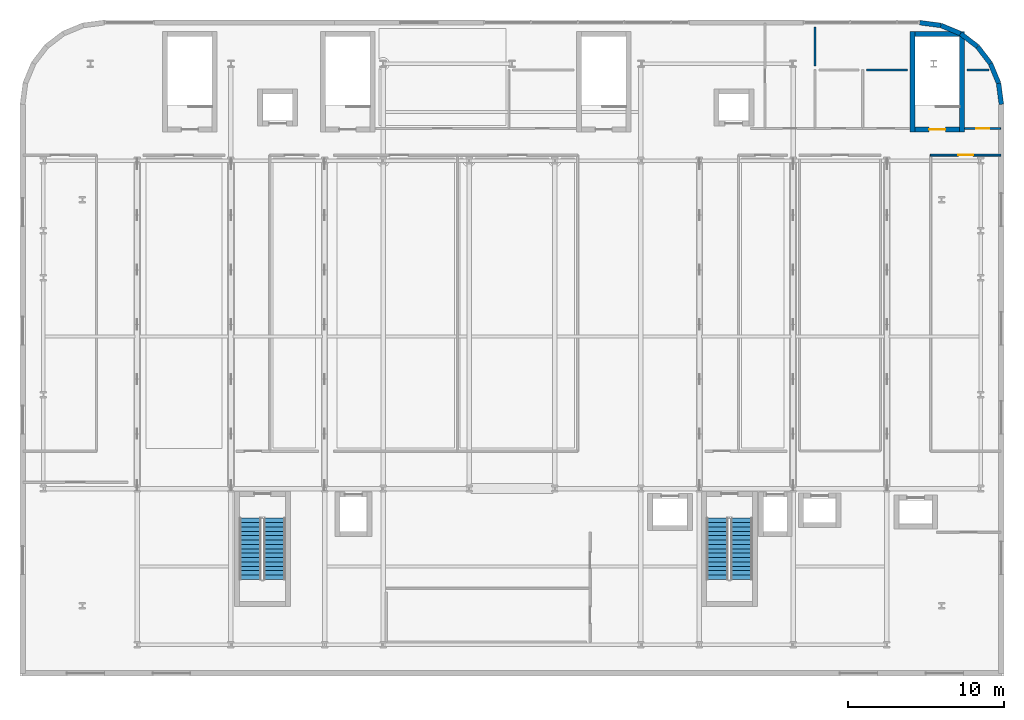
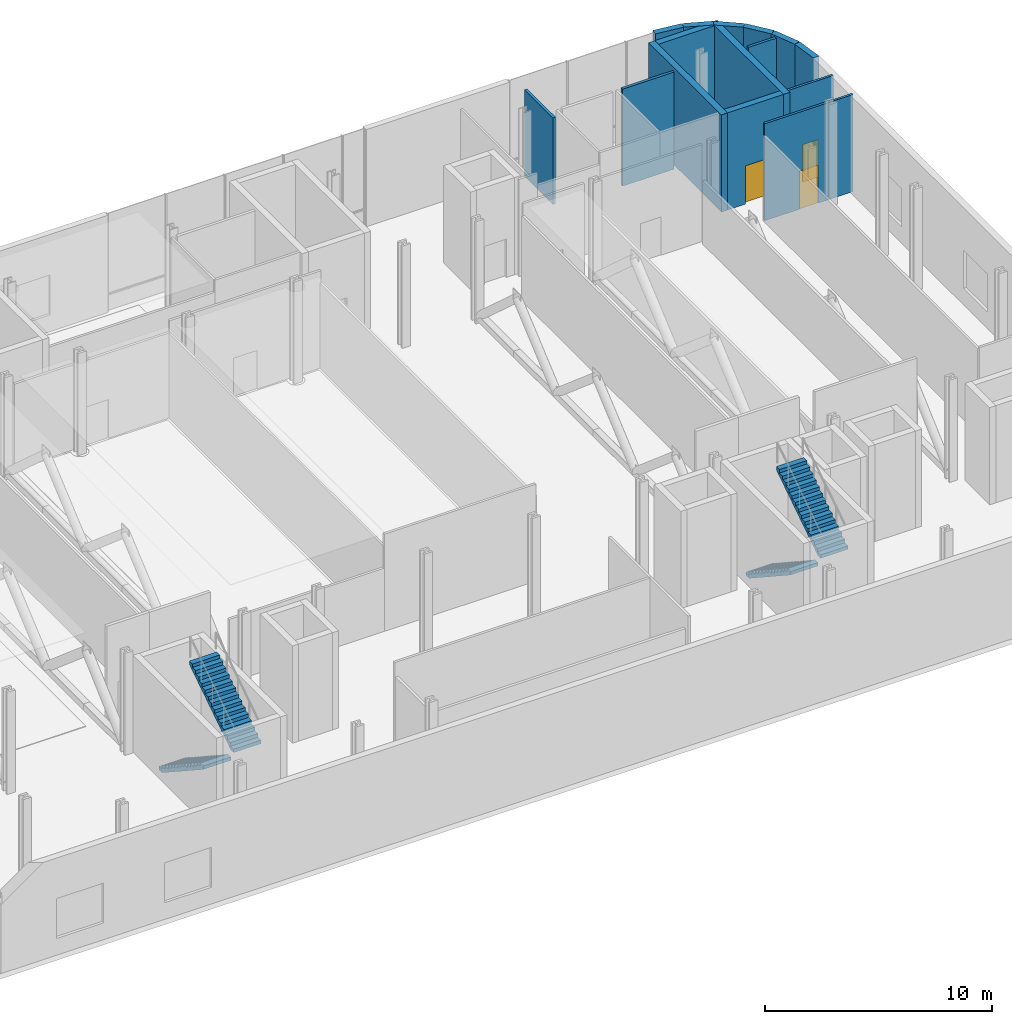
# One storey, part 14 of 17: 15 walls, 4 stair flights, 3 doors, 3 openings, 2 elements without a shape of their own.
"""IFC4 building model written with IfcOpenShell, lengths in metres."""

from ifc_helpers import new_model, si_unit, direction, frame, frame_2d, origin, place, context, subcontext, project, spatial, polyline, rectangle, outline, extrude, material, layer, layer_set, type_object, element, fill, aggregate, save


model = new_model("IFC4")

# Units and contexts
model_context = context("Model", 3, precision=1e-05, world=origin(), true_north=direction((0.0, 1.0)))
body_context = subcontext(model_context, "Body", "Model", "MODEL_VIEW")
ifc_project = project(units=[si_unit("LENGTHUNIT", "METRE"), si_unit("AREAUNIT", "SQUARE_METRE"), si_unit("VOLUMEUNIT", "CUBIC_METRE"), si_unit("PLANEANGLEUNIT", "RADIAN"), si_unit("MASSUNIT", "GRAM", prefix="KILO")], contexts=[model_context])

# Site, building, storey
site_placement = place(None, origin())
site = spatial("IfcSite", under=ifc_project, at=site_placement, CompositionType="ELEMENT")
building_placement = place(site_placement, origin())
building = spatial("IfcBuilding", under=site, at=building_placement, Name="Brevholm Reach", CompositionType="ELEMENT")
storey_placement = place(building_placement, frame((0.0, 0.0, 22.5)))
storey = spatial("IfcBuildingStorey", under=building, at=storey_placement, Name="L05", CompositionType="ELEMENT", Elevation=22.5)

# Walls
ifc_material_1 = material(Name="Concrete C60/75", Category="concrete")
ifc_layer_1 = layer(ifc_material_1, 0.320068359375)
ifc_layer_set_1 = layer_set([ifc_layer_1], Name="Concrete C60/75")
wall_type_1 = type_object("IfcWallType", Name="WAL-COR-320", PredefinedType="SHEAR", material=ifc_layer_set_1)
for number, where, z_axis, x_axis, name in (
    (1, (55.639892578125, 32.830078125, 0.0), (0.0, 0.0, 1.0), (0.0, 1.0, 0.0), "L05 Escape Stair ST-S4 Core Wall W"),
    (2, (58.81005859375, 32.830078125, 0.0), (0.0, 0.0, 1.0), (0.0, 1.0, 0.0), "L05 Escape Stair ST-S4 Core Wall E"),
):
    element("IfcWall", number, at=place(storey_placement, frame(where, z_axis=z_axis, x_axis=x_axis)), inside=storey, type_object=wall_type_1, Name=name, PredefinedType="SHEAR", context=body_context, shape_type="SweptSolid", body=[
        extrude(rectangle(XDim=6.419921875, YDim=0.320068359375, at=frame_2d((3.2099609375, 0.0))), origin(), (0.0, 0.0, 1.0), 5.22998046875),
    ])

# Wall, opening, door
wall_1_placement = place(storey_placement, frame((55.800048828125, 32.989990234375, 0.0), z_axis=(0.0, 0.0, 1.0), x_axis=(1.0, 0.0, 0.0)))
wall_1 = element("IfcWall", 3, at=wall_1_placement, inside=storey, type_object=wall_type_1, Name="L05 Escape Stair ST-S4 Core Wall S", PredefinedType="SHEAR", context=body_context, shape_type="SweptSolid", body=[
    extrude(rectangle(XDim=2.849853515625, YDim=0.320068359375, at=frame_2d((1.4248046875, 0.0))), origin(), (0.0, 0.0, 1.0), 5.22998046875),
])
opening_1_placement = place(wall_1_placement, frame((0.89990234375, 0.0, 0.0)))
opening_1 = element("IfcOpeningElement", 4, at=opening_1_placement, cuts=wall_1, Name="Opening SD-ST-S4", PredefinedType="OPENING", context=body_context, shape_type="SweptSolid", body=[
    extrude(rectangle(XDim=1.050048828125, YDim=2.06005859375, at=frame_2d((0.52490234375, 1.030029296875))), frame((0.0, 0.169921875, 0.0), z_axis=(0.0, -1.0, 0.0), x_axis=(1.0, 0.0, 0.0)), (0.0, 0.0, 1.0), 0.340087890625),
])
ifc_material_2 = material(Name="Hardwood-Lipped Steel-Core Fire and Smoke Door", Category="steel")
door_type_1 = type_object("IfcDoorType", Name="DOR-INT-FD60S", OperationType="NOTDEFINED", PredefinedType="DOOR", material=ifc_material_2)
door_1_placement = place(opening_1_placement, origin())
door_1 = element("IfcDoor", 5, at=door_1_placement, inside=storey, type_object=door_type_1, Name="L05 Protected Stair ST-S4 Lobby Door", OperationType="SINGLE_SWING_RIGHT", OverallHeight=2.06005859375, OverallWidth=1.050048828125, PredefinedType="DOOR", context=body_context, shape_type="SweptSolid", body=[
    extrude(rectangle(XDim=1.050048828125, YDim=2.06005859375, at=frame_2d((0.52490234375, 1.030029296875))), frame((0.0, 0.02490234375, 0.0), z_axis=(0.0, -1.0, 0.0), x_axis=(1.0, 0.0, 0.0)), (0.0, 0.0, 1.0), 0.050048828125),
])
fill(opening_1, door_1)

# Walls
wall_2_placement = place(storey_placement, frame((58.64990234375, 39.090087890625, 0.0), z_axis=(0.0, 0.0, 1.0), x_axis=(-1.0, 0.0, 0.0)))
element("IfcWall", 6, at=wall_2_placement, inside=storey, type_object=wall_type_1, Name="L05 Escape Stair ST-S4 Core Wall N", PredefinedType="SHEAR", context=body_context, shape_type="SweptSolid", body=[
    extrude(rectangle(XDim=2.849853515625, YDim=0.320068359375, at=frame_2d((1.4248046875, 0.0))), origin(), (0.0, 0.0, 1.0), 5.22998046875),
])
ifc_material_3 = material(Name="Concrete C40/50", Category="concrete")
ifc_layer_2 = layer(ifc_material_3, 0.300048828125)
ifc_layer_set_2 = layer_set([ifc_layer_2], Name="Concrete C40/50")
wall_type_2 = type_object("IfcWallType", Name="WAL-EXT-300", PredefinedType="STANDARD", material=ifc_layer_set_2)
wall_3_placement = place(storey_placement, frame((56.10009765625, 39.830078125, 0.0), z_axis=(0.0, 0.0, 1.0), x_axis=(0.991442117533, -0.13054703207, 0.0)))
element("IfcWall", 7, at=wall_3_placement, inside=storey, type_object=wall_type_2, Name="L05 Facade Wall WAL-L05-NEP-1", PredefinedType="STANDARD", context=body_context, shape_type="SweptSolid", body=[
    extrude(rectangle(XDim=1.365234375, YDim=0.300048828125, at=frame_2d((0.6826171875, 0.0))), origin(), (0.0, 0.0, 1.0), 5.22998046875),
])
wall_4_placement = place(storey_placement, frame((57.45361328125, 39.65185546875, 0.0), z_axis=(0.0, 0.0, 1.0), x_axis=(0.923894797396, -0.382646577594, 0.0)))
element("IfcWall", 8, at=wall_4_placement, inside=storey, type_object=wall_type_2, Name="L05 Facade Wall WAL-L05-NEP-2", PredefinedType="STANDARD", context=body_context, shape_type="SweptSolid", body=[
    extrude(rectangle(XDim=1.365478515625, YDim=0.300048828125, at=frame_2d((0.6826171875, 0.0))), origin(), (0.0, 0.0, 1.0), 5.22998046875),
])
for number, where, z_axis, x_axis, name in (
    (9, (58.715087890625, 39.12939453125, 0.0), (0.0, 0.0, 1.0), (0.793255091989, -0.6088894473, 0.0), "L05 Facade Wall WAL-L05-NEP-3"),
    (10, (59.798095703125, 38.298095703125, 0.0), (0.0, 0.0, 1.0), (0.6088894473, -0.793255091989, 0.0), "L05 Facade Wall WAL-L05-NEP-4"),
):
    element("IfcWall", number, at=place(storey_placement, frame(where, z_axis=z_axis, x_axis=x_axis)), inside=storey, type_object=wall_type_2, Name=name, PredefinedType="STANDARD", context=body_context, shape_type="SweptSolid", body=[
        extrude(rectangle(XDim=1.365234375, YDim=0.300048828125, at=frame_2d((0.6826171875, 0.0))), origin(), (0.0, 0.0, 1.0), 5.22998046875),
    ])
wall_5_placement = place(storey_placement, frame((60.62939453125, 37.215087890625, 0.0), z_axis=(0.0, 0.0, 1.0), x_axis=(0.382646577594, -0.923894797396, 0.0)))
element("IfcWall", 11, at=wall_5_placement, inside=storey, type_object=wall_type_2, Name="L05 Facade Wall WAL-L05-NEP-5", PredefinedType="STANDARD", context=body_context, shape_type="SweptSolid", body=[
    extrude(rectangle(XDim=1.365478515625, YDim=0.300048828125, at=frame_2d((0.6826171875, 0.0))), origin(), (0.0, 0.0, 1.0), 5.22998046875),
])
wall_6_placement = place(storey_placement, frame((61.15185546875, 35.95361328125, 0.0), z_axis=(0.0, 0.0, 1.0), x_axis=(0.13054703207, -0.991442117533, 0.0)))
element("IfcWall", 12, at=wall_6_placement, inside=storey, type_object=wall_type_2, Name="L05 Facade Wall WAL-L05-NEP-6", PredefinedType="STANDARD", context=body_context, shape_type="SweptSolid", body=[
    extrude(rectangle(XDim=1.365234375, YDim=0.300048828125, at=frame_2d((0.6826171875, 0.0))), origin(), (0.0, 0.0, 1.0), 5.22998046875),
])

# Wall, opening, door
ifc_material_4 = material(Name="Acoustic Fire-Rated Classroom Gypsum Partition 120 mm", Category="gypsum")
ifc_layer_3 = layer(ifc_material_4, 0.1201171875)
ifc_layer_set_3 = layer_set([ifc_layer_3], Name="Acoustic Fire-Rated Classroom Gypsum Partition 120 mm")
wall_type_3 = type_object("IfcWallType", Name="WAL-PRT-120", PredefinedType="PARTITIONING", material=ifc_layer_set_3)
wall_7_placement = place(storey_placement, frame((58.97998046875, 33.050048828125, 0.0), z_axis=(0.0, 0.0, 1.0), x_axis=(1.0, 0.0, 0.0)))
wall_7 = element("IfcWall", 13, at=wall_7_placement, inside=storey, type_object=wall_type_3, Name="L05 Internal Partition 014", PredefinedType="PARTITIONING", context=body_context, shape_type="SweptSolid", body=[
    extrude(rectangle(XDim=2.300048828125, YDim=0.1201171875, at=frame_2d((1.14990234375, 0.0))), origin(), (0.0, 0.0, 1.0), 5.22998046875),
])
opening_2_placement = place(wall_7_placement, frame((0.739990234375, 0.0, 0.0)))
opening_2 = element("IfcOpeningElement", 14, at=opening_2_placement, cuts=wall_7, Name="Opening ID-02", PredefinedType="OPENING", context=body_context, shape_type="SweptSolid", body=[
    extrude(rectangle(XDim=0.820068359375, YDim=2.02001953125, at=frame_2d((0.41015625, 1.010009765625))), frame((0.0, 0.070068359375, 0.0), z_axis=(0.0, -1.0, 0.0), x_axis=(1.0, 0.0, 0.0)), (0.0, 0.0, 1.0), 0.14013671875),
])
ifc_material_5 = material(Name="Moisture-Resistant Painted Timber Fire-Rated Riser and Service Door", Category="wood")
door_type_2 = type_object("IfcDoorType", Name="DOR-SRV-820", OperationType="NOTDEFINED", PredefinedType="DOOR", material=ifc_material_5)
door_2_placement = place(opening_2_placement, origin())
door_2 = element("IfcDoor", 15, at=door_2_placement, inside=storey, type_object=door_type_2, Name="L05 Internal Door 010", OperationType="SINGLE_SWING_RIGHT", OverallHeight=2.02001953125, OverallWidth=0.820068359375, PredefinedType="DOOR", context=body_context, shape_type="SweptSolid", body=[
    extrude(rectangle(XDim=0.820068359375, YDim=2.02001953125, at=frame_2d((0.41015625, 1.010009765625))), frame((0.0, 0.02490234375, 0.0), z_axis=(0.0, -1.0, 0.0), x_axis=(1.0, 0.0, 0.0)), (0.0, 0.0, 1.0), 0.050048828125),
])
fill(opening_2, door_2)

wall_8_placement = place(storey_placement, frame((56.792724609375, 31.35009765625, 0.0), z_axis=(0.0, 0.0, 1.0), x_axis=(1.0, 0.0, 0.0)))
wall_8 = element("IfcWall", 16, at=wall_8_placement, inside=storey, type_object=wall_type_3, Name="L05 Internal Partition 022", PredefinedType="PARTITIONING", context=body_context, shape_type="SweptSolid", body=[
    extrude(rectangle(XDim=4.50732421875, YDim=0.1201171875, at=frame_2d((2.253662109375, 0.0))), origin(), (0.0, 0.0, 1.0), 5.22998046875),
])
opening_3_placement = place(wall_8_placement, frame((1.778564453125, 0.0, 0.0)))
opening_3 = element("IfcOpeningElement", 17, at=opening_3_placement, cuts=wall_8, Name="Opening ID-30", PredefinedType="OPENING", context=body_context, shape_type="SweptSolid", body=[
    extrude(rectangle(XDim=0.949951171875, YDim=2.050048828125, at=frame_2d((0.47509765625, 1.02490234375))), frame((0.0, 0.070068359375, 0.0), z_axis=(0.0, -1.0, 0.0), x_axis=(1.0, 0.0, 0.0)), (0.0, 0.0, 1.0), 0.14013671875),
])
ifc_material_6 = material(Name="European Oak Veneered Solid-Core Fire Entrance Door", Category="timber")
door_type_3 = type_object("IfcDoorType", Name="DOR-FLT-FD30S", OperationType="NOTDEFINED", PredefinedType="DOOR", material=ifc_material_6)
door_3_placement = place(opening_3_placement, origin())
door_3 = element("IfcDoor", 18, at=door_3_placement, inside=storey, type_object=door_type_3, Name="L05 Internal Door 018", OperationType="SINGLE_SWING_RIGHT", OverallHeight=2.050048828125, OverallWidth=0.949951171875, PredefinedType="DOOR", context=body_context, shape_type="SweptSolid", body=[
    extrude(rectangle(XDim=0.949951171875, YDim=2.050048828125, at=frame_2d((0.47509765625, 1.02490234375))), frame((0.0, 0.02490234375, 0.0), z_axis=(0.0, -1.0, 0.0), x_axis=(1.0, 0.0, 0.0)), (0.0, 0.0, 1.0), 0.050048828125),
])
fill(opening_3, door_3)

# Walls
ifc_material_7 = material(Name="Twin-Stud Acoustic Fire-Rated Gypsum Partition 140 mm", Category="gypsum")
ifc_layer_4 = layer(ifc_material_7, 0.139892578125)
ifc_layer_set_4 = layer_set([ifc_layer_4], Name="Twin-Stud Acoustic Fire-Rated Gypsum Partition 140 mm")
wall_type_4 = type_object("IfcWallType", Name="WAL-PRT-140", PredefinedType="PARTITIONING", material=ifc_layer_set_4)
wall_9_placement = place(storey_placement, frame((49.39990234375, 37.05126953125, 0.0), z_axis=(0.0, 0.0, 1.0), x_axis=(0.0, 1.0, 0.0)))
element("IfcWall", 19, at=wall_9_placement, inside=storey, type_object=wall_type_4, Name="L05 Internal Partition 042", PredefinedType="PARTITIONING", context=body_context, shape_type="SweptSolid", body=[
    extrude(rectangle(XDim=2.498779296875, YDim=0.139892578125, at=frame_2d((1.24951171875, 0.0))), origin(), (0.0, 0.0, 1.0), 4.66552734375),
])
wall_10_placement = place(storey_placement, frame((52.68994140625, 36.800048828125, 0.0), z_axis=(0.0, 0.0, 1.0), x_axis=(1.0, 0.0, 0.0)))
element("IfcWall", 20, at=wall_10_placement, inside=storey, type_object=wall_type_4, Name="L05 Internal Partition 044", PredefinedType="PARTITIONING", context=body_context, shape_type="SweptSolid", body=[
    extrude(rectangle(XDim=2.64013671875, YDim=0.139892578125, at=frame_2d((1.320068359375, 0.0))), origin(), (0.0, 0.0, 1.0), 5.22998046875),
])
wall_11_placement = place(storey_placement, frame((59.1201171875, 36.800048828125, 0.0), z_axis=(0.0, 0.0, 1.0), x_axis=(1.0, 0.0, 0.0)))
element("IfcWall", 21, at=wall_11_placement, inside=storey, type_object=wall_type_4, Name="L05 Internal Partition 045", PredefinedType="PARTITIONING", context=body_context, shape_type="SweptSolid", body=[
    extrude(rectangle(XDim=1.42138671875, YDim=0.139892578125, at=frame_2d((0.710693359375, 0.0))), origin(), (0.0, 0.0, 1.0), 5.22998046875),
])

# Stair, stair flights
ifc_material_8 = material(Name="Precast Concrete C40/50", Category="concrete")
stair_type = type_object("IfcStairType", Name="STR-ESC-1400", PredefinedType="DOUBLE_RETURN_STAIR", material=ifc_material_8)
stair_1_placement = place(storey_placement, origin())
stair_1 = element("IfcStair", 22, at=stair_1_placement, inside=storey, type_object=stair_type, Name="L05 ST-1", PredefinedType="DOUBLE_RETURN_STAIR")
ifc_material_9 = material(Name="Precast Concrete C40/50", Category="concrete")
ifc_layer_5 = layer(ifc_material_9, 0.18505859375)
ifc_layer_set_5 = layer_set([ifc_layer_5], Name="Precast Concrete C40/50")
stair_flight_type = type_object("IfcStairFlightType", Name="STF-PRC-185", PredefinedType="STRAIGHT", material=ifc_layer_set_5)
stair_flight_1_placement = place(storey_placement, frame((13.25, 8.10009765625, 0.0), z_axis=(0.0, 0.0, 1.0), x_axis=(0.0, -1.0, 0.0)))
stair_flight_1 = element("IfcStairFlight", 23, at=stair_flight_1_placement, type_object=stair_flight_type, Name="ST-1 flight 1", NumberOfRisers=15, NumberOfTreads=14, PredefinedType="STRAIGHT", RiserHeight=0.183333333, TreadLength=0.28, context=body_context, shape_type="SweptSolid", body=[
    extrude(outline(polyline([(0.0, 0.0), (0.0, 0.183349609375), (0.280029296875, 0.183349609375), (0.280029296875, 0.36669921875), (0.56005859375, 0.36669921875), (0.56005859375, 0.550048828125), (0.840087890625, 0.550048828125), (0.840087890625, 0.7333984375), (1.1201171875, 0.7333984375), (1.1201171875, 0.916748046875), (1.39990234375, 0.916748046875), (1.39990234375, 1.10009765625), (1.679931640625, 1.10009765625), (1.679931640625, 1.283447265625), (1.9599609375, 1.283447265625), (1.9599609375, 1.466552734375), (2.239990234375, 1.466552734375), (2.239990234375, 1.64990234375), (2.52001953125, 1.64990234375), (2.52001953125, 1.833251953125), (2.800048828125, 1.833251953125), (2.800048828125, 2.0166015625), (3.080078125, 2.0166015625), (3.080078125, 2.199951171875), (3.360107421875, 2.199951171875), (3.360107421875, 2.38330078125), (3.639892578125, 2.38330078125), (3.639892578125, 2.566650390625), (3.919921875, 2.566650390625), (3.919921875, 2.75), (3.919921875, 2.387451171875), (0.273681640625, 0.0), (0.0, 0.0)])), frame((0.0, 0.699951171875, 0.0), z_axis=(0.0, -1.0, 0.0), x_axis=(1.0, 0.0, 0.0)), (0.0, 0.0, 1.0), 1.39990234375),
])
stair_flight_2_placement = place(storey_placement, frame((14.800048828125, 4.179931640625, 2.75), z_axis=(0.0, 0.0, 1.0), x_axis=(0.0, 1.0, 0.0)))
stair_flight_2 = element("IfcStairFlight", 24, at=stair_flight_2_placement, type_object=stair_flight_type, Name="ST-1 flight 2", NumberOfRisers=15, NumberOfTreads=14, PredefinedType="STRAIGHT", RiserHeight=0.183333333, TreadLength=0.28, context=body_context, shape_type="SweptSolid", body=[
    extrude(outline(polyline([(0.0, 0.0), (0.0, 0.183349609375), (0.280029296875, 0.183349609375), (0.280029296875, 0.36669921875), (0.56005859375, 0.36669921875), (0.56005859375, 0.550048828125), (0.840087890625, 0.550048828125), (0.840087890625, 0.7333984375), (1.1201171875, 0.7333984375), (1.1201171875, 0.916748046875), (1.39990234375, 0.916748046875), (1.39990234375, 1.10009765625), (1.679931640625, 1.10009765625), (1.679931640625, 1.283447265625), (1.9599609375, 1.283447265625), (1.9599609375, 1.466552734375), (2.239990234375, 1.466552734375), (2.239990234375, 1.64990234375), (2.52001953125, 1.64990234375), (2.52001953125, 1.833251953125), (2.800048828125, 1.833251953125), (2.800048828125, 2.0166015625), (3.080078125, 2.0166015625), (3.080078125, 2.199951171875), (3.360107421875, 2.199951171875), (3.360107421875, 2.38330078125), (3.639892578125, 2.38330078125), (3.639892578125, 2.566650390625), (3.919921875, 2.566650390625), (3.919921875, 2.75), (3.919921875, 2.387451171875), (0.273681640625, 0.0), (0.0, 0.0)])), frame((0.0, 0.699951171875, 0.0), z_axis=(0.0, -1.0, 0.0), x_axis=(1.0, 0.0, 0.0)), (0.0, 0.0, 1.0), 1.39990234375),
])
aggregate(stair_1, [stair_flight_1, stair_flight_2])

stair_2_placement = place(storey_placement, origin())
stair_2 = element("IfcStair", 25, at=stair_2_placement, inside=storey, type_object=stair_type, Name="L05 ST-2", PredefinedType="DOUBLE_RETURN_STAIR")
stair_flight_3_placement = place(storey_placement, frame((43.14990234375, 8.10009765625, 0.0), z_axis=(0.0, 0.0, 1.0), x_axis=(0.0, -1.0, 0.0)))
stair_flight_3 = element("IfcStairFlight", 26, at=stair_flight_3_placement, type_object=stair_flight_type, Name="ST-2 flight 1", NumberOfRisers=15, NumberOfTreads=14, PredefinedType="STRAIGHT", RiserHeight=0.183333333, TreadLength=0.28, context=body_context, shape_type="SweptSolid", body=[
    extrude(outline(polyline([(0.0, 0.0), (0.0, 0.183349609375), (0.280029296875, 0.183349609375), (0.280029296875, 0.36669921875), (0.56005859375, 0.36669921875), (0.56005859375, 0.550048828125), (0.840087890625, 0.550048828125), (0.840087890625, 0.7333984375), (1.1201171875, 0.7333984375), (1.1201171875, 0.916748046875), (1.39990234375, 0.916748046875), (1.39990234375, 1.10009765625), (1.679931640625, 1.10009765625), (1.679931640625, 1.283447265625), (1.9599609375, 1.283447265625), (1.9599609375, 1.466552734375), (2.239990234375, 1.466552734375), (2.239990234375, 1.64990234375), (2.52001953125, 1.64990234375), (2.52001953125, 1.833251953125), (2.800048828125, 1.833251953125), (2.800048828125, 2.0166015625), (3.080078125, 2.0166015625), (3.080078125, 2.199951171875), (3.360107421875, 2.199951171875), (3.360107421875, 2.38330078125), (3.639892578125, 2.38330078125), (3.639892578125, 2.566650390625), (3.919921875, 2.566650390625), (3.919921875, 2.75), (3.919921875, 2.387451171875), (0.273681640625, 0.0), (0.0, 0.0)])), frame((0.0, 0.699951171875, 0.0), z_axis=(0.0, -1.0, 0.0), x_axis=(1.0, 0.0, 0.0)), (0.0, 0.0, 1.0), 1.39990234375),
])
stair_flight_4_placement = place(storey_placement, frame((44.699951171875, 4.179931640625, 2.75), z_axis=(0.0, 0.0, 1.0), x_axis=(0.0, 1.0, 0.0)))
stair_flight_4 = element("IfcStairFlight", 27, at=stair_flight_4_placement, type_object=stair_flight_type, Name="ST-2 flight 2", NumberOfRisers=15, NumberOfTreads=14, PredefinedType="STRAIGHT", RiserHeight=0.183333333, TreadLength=0.28, context=body_context, shape_type="SweptSolid", body=[
    extrude(outline(polyline([(0.0, 0.0), (0.0, 0.183349609375), (0.280029296875, 0.183349609375), (0.280029296875, 0.36669921875), (0.56005859375, 0.36669921875), (0.56005859375, 0.550048828125), (0.840087890625, 0.550048828125), (0.840087890625, 0.7333984375), (1.1201171875, 0.7333984375), (1.1201171875, 0.916748046875), (1.39990234375, 0.916748046875), (1.39990234375, 1.10009765625), (1.679931640625, 1.10009765625), (1.679931640625, 1.283447265625), (1.9599609375, 1.283447265625), (1.9599609375, 1.466552734375), (2.239990234375, 1.466552734375), (2.239990234375, 1.64990234375), (2.52001953125, 1.64990234375), (2.52001953125, 1.833251953125), (2.800048828125, 1.833251953125), (2.800048828125, 2.0166015625), (3.080078125, 2.0166015625), (3.080078125, 2.199951171875), (3.360107421875, 2.199951171875), (3.360107421875, 2.38330078125), (3.639892578125, 2.38330078125), (3.639892578125, 2.566650390625), (3.919921875, 2.566650390625), (3.919921875, 2.75), (3.919921875, 2.387451171875), (0.273681640625, 0.0), (0.0, 0.0)])), frame((0.0, 0.699951171875, 0.0), z_axis=(0.0, -1.0, 0.0), x_axis=(1.0, 0.0, 0.0)), (0.0, 0.0, 1.0), 1.39990234375),
])
aggregate(stair_2, [stair_flight_3, stair_flight_4])

save(model, "model.ifc")
